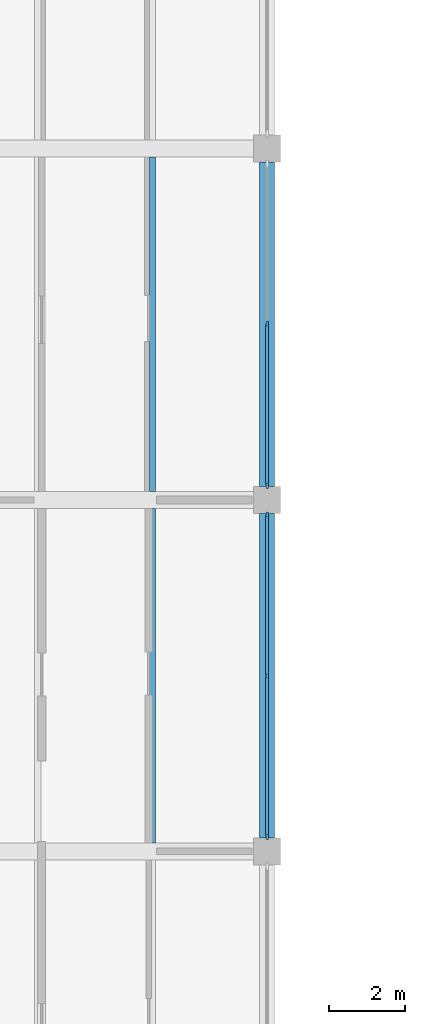
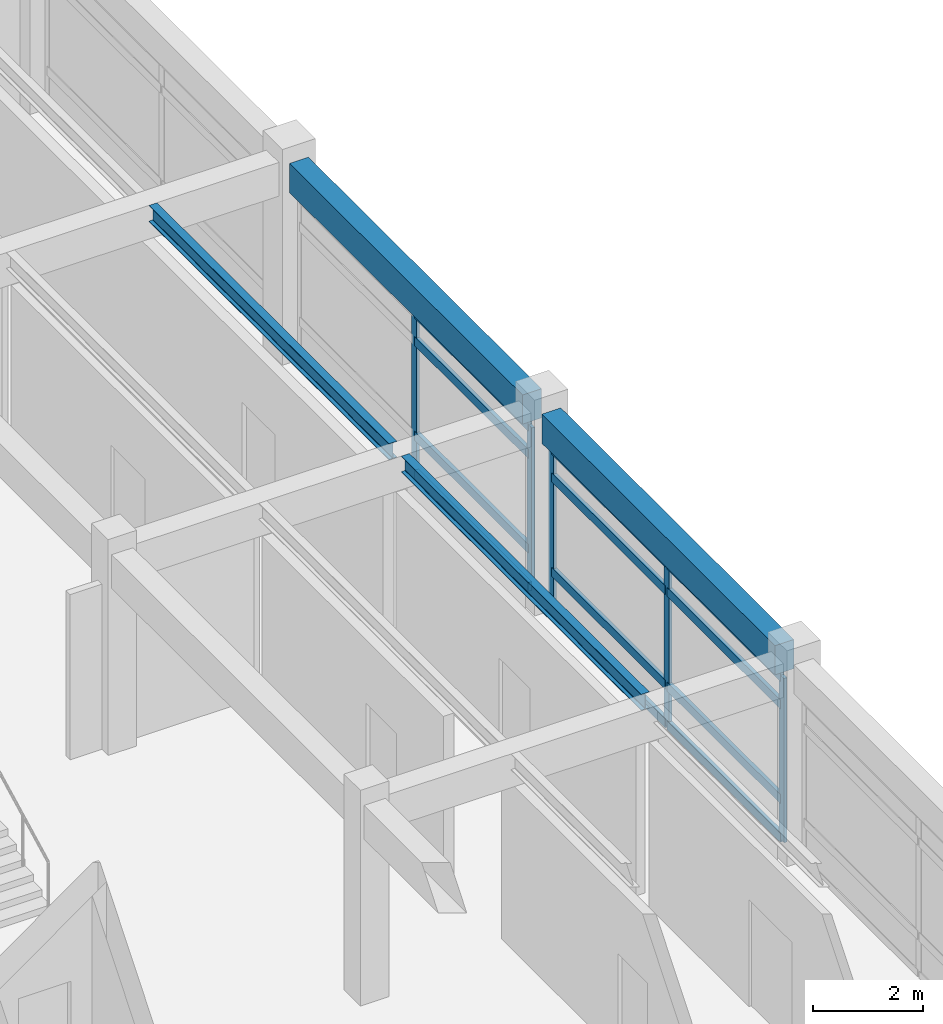
# One storey, part 35 of 90: 17 members, 4 beams, 2 elements without a shape of their own.
"""IFC4 building model written with IfcOpenShell, lengths in metres."""

from ifc_helpers import new_model, si_unit, direction, frame, origin, origin_2d, place, context, subcontext, project, spatial, rectangle, i_section, extrude, material, material_profile, profile_set, type_object, element, aggregate, save


model = new_model("IFC4")

# Units and contexts
model_context = context("Model", 3, precision=1e-05, world=origin(), true_north=direction((0.0, 1.0)))
body_context = subcontext(model_context, "Body", "Model", "MODEL_VIEW")
ifc_project = project(units=[si_unit("LENGTHUNIT", "METRE"), si_unit("AREAUNIT", "SQUARE_METRE"), si_unit("VOLUMEUNIT", "CUBIC_METRE"), si_unit("PLANEANGLEUNIT", "RADIAN"), si_unit("MASSUNIT", "GRAM", prefix="KILO")], contexts=[model_context])

# Site, building, storey
site_placement = place(None, origin())
site = spatial("IfcSite", under=ifc_project, at=site_placement, CompositionType="ELEMENT")
building_placement = place(site_placement, origin())
building = spatial("IfcBuilding", under=site, at=building_placement, Name="Bozkorgan Art Gallery", CompositionType="ELEMENT")
storey_placement = place(building_placement, frame((0.0, 0.0, 5.39990234375)))
storey = spatial("IfcBuildingStorey", under=building, at=storey_placement, Name="L01", CompositionType="ELEMENT", Elevation=5.39990234375)

# Beams
ifc_material_1 = material(Name="Steel S355J2", Category="steel")
ifc_material_profile_1 = material_profile(ifc_material_1, i_section(OverallWidth=0.169921875, OverallDepth=0.360107421875, WebThickness=0.008056640625, FlangeThickness=0.0126953125, FilletRadius=0.01806640625, at=origin_2d()), Name="IPE 360")
ifc_profile_set_1 = profile_set([ifc_material_profile_1], Name="Steel S355J2")
beam_type_1 = type_object("IfcBeamType", Name="BEAM-JS-98", PredefinedType="JOIST", material=ifc_profile_set_1)
for number, where, z_axis, x_axis, name in (
    (1, (98.0, 66.22509765625, 4.260009765625), (0.0, 1.0, 0.0), (-1.0, 0.0, 0.0), "V4 L01 secondary joist (92-101, 66.0-75.2) #2"),
    (2, (98.0, 75.425048828125, 4.260009765625), (0.0, 1.0, 0.0), (-1.0, 0.0, 0.0), "V4 L01 secondary joist (92-101, 75.2-84.4) #2"),
):
    element("IfcBeam", number, at=place(storey_placement, frame(where, z_axis=z_axis, x_axis=x_axis)), inside=storey, type_object=beam_type_1, Name=name, PredefinedType="JOIST", context=body_context, shape_type="SweptSolid", body=[
        extrude(i_section(OverallWidth=0.169921875, OverallDepth=0.360107421875, WebThickness=0.008056640625, FlangeThickness=0.0126953125, FilletRadius=0.01806640625, at=origin_2d()), origin(), (0.0, 0.0, 1.0), 8.75),
    ])
ifc_material_2 = material(Name="Concrete C35/45", Category="concrete")
ifc_material_profile_2 = material_profile(ifc_material_2, rectangle(XDim=0.39990234375, YDim=0.64990234375, at=origin_2d()), Name="RC 400x650")
ifc_profile_set_2 = profile_set([ifc_material_profile_2], Name="Concrete C35/45")
beam_type_2 = type_object("IfcBeamType", Name="BEAM-SP-69", PredefinedType="SPANDREL", material=ifc_profile_set_2)
for number, where, z_axis, x_axis, name in (
    (3, (101.0, 66.35009765625, 4.114990234375), (0.0, 1.0, 0.0), (-1.0, 0.0, 0.0), "V4 L01 spandrel Y (101, 66.0-75.2)"),
    (4, (101.0, 75.550048828125, 4.114990234375), (0.0, 1.0, 0.0), (-1.0, 0.0, 0.0), "V4 L01 spandrel Y (101, 75.2-84.4)"),
):
    element("IfcBeam", number, at=place(storey_placement, frame(where, z_axis=z_axis, x_axis=x_axis)), inside=storey, type_object=beam_type_2, Name=name, PredefinedType="SPANDREL", context=body_context, shape_type="SweptSolid", body=[
        extrude(rectangle(XDim=0.39990234375, YDim=0.64990234375, at=origin_2d()), origin(), (0.0, 0.0, 1.0), 8.5),
    ])

# Curtain wall, members
ifc_material_3 = material(Name="Anodised Bronze Aluminium", Category="aluminium")
curtain_wall_type = type_object("IfcCurtainWallType", Name="CW-CW-16", PredefinedType="NOTDEFINED", material=ifc_material_3)
curtain_wall_1_placement = place(storey_placement, origin())
curtain_wall_1 = element("IfcCurtainWall", 5, at=curtain_wall_1_placement, inside=storey, type_object=curtain_wall_type, Name="L01 unitised curtain wall CW-V4-L01-1E-14", PredefinedType="NOTDEFINED")
ifc_material_profile_3 = material_profile(ifc_material_3, rectangle(XDim=0.06494140625, YDim=0.179931640625, at=origin_2d()), Name="ALU MULLION 65x180")
ifc_profile_set_3 = profile_set([ifc_material_profile_3], Name="Anodised Bronze Aluminium")
member_type_1 = type_object("IfcMemberType", Name="CWM-01", PredefinedType="MULLION", material=ifc_profile_set_3)
member_1_placement = place(storey_placement, frame((101.0, 66.3974609375, 0.02001953125), z_axis=(0.0, 0.0, 1.0), x_axis=(-1.0, 0.0, 0.0)))
member_1 = element("IfcMember", 6, at=member_1_placement, type_object=member_type_1, Name="CW-16 mullion 1", PredefinedType="MULLION", context=body_context, shape_type="SweptSolid", body=[
    extrude(rectangle(XDim=0.06494140625, YDim=0.179931640625, at=origin_2d()), origin(), (0.0, 0.0, 1.0), 3.655029296875),
])
member_2_placement = place(storey_placement, frame((101.0, 70.60009765625, 0.02001953125), z_axis=(0.0, 0.0, 1.0), x_axis=(-1.0, 0.0, 0.0)))
member_2 = element("IfcMember", 7, at=member_2_placement, type_object=member_type_1, Name="CW-16 mullion 2", PredefinedType="MULLION", context=body_context, shape_type="SweptSolid", body=[
    extrude(rectangle(XDim=0.06494140625, YDim=0.179931640625, at=origin_2d()), origin(), (0.0, 0.0, 1.0), 3.655029296875),
])
member_3_placement = place(storey_placement, frame((101.0, 74.802490234375, 0.02001953125), z_axis=(0.0, 0.0, 1.0), x_axis=(-1.0, 0.0, 0.0)))
member_3 = element("IfcMember", 8, at=member_3_placement, type_object=member_type_1, Name="CW-16 mullion 3", PredefinedType="MULLION", context=body_context, shape_type="SweptSolid", body=[
    extrude(rectangle(XDim=0.06494140625, YDim=0.179931640625, at=origin_2d()), origin(), (0.0, 0.0, 1.0), 3.655029296875),
])

curtain_wall_2_placement = place(storey_placement, origin())
curtain_wall_2 = element("IfcCurtainWall", 9, at=curtain_wall_2_placement, inside=storey, type_object=curtain_wall_type, Name="L01 unitised curtain wall CW-V4-L01-1E-16", PredefinedType="NOTDEFINED")
member_4_placement = place(storey_placement, frame((101.0, 75.597412109375, 0.02001953125), z_axis=(0.0, 0.0, 1.0), x_axis=(-1.0, 0.0, 0.0)))
member_4 = element("IfcMember", 10, at=member_4_placement, type_object=member_type_1, Name="CW-16 mullion 1", PredefinedType="MULLION", context=body_context, shape_type="SweptSolid", body=[
    extrude(rectangle(XDim=0.06494140625, YDim=0.179931640625, at=origin_2d()), origin(), (0.0, 0.0, 1.0), 3.655029296875),
])
member_5_placement = place(storey_placement, frame((101.0, 79.800048828125, 0.02001953125), z_axis=(0.0, 0.0, 1.0), x_axis=(-1.0, 0.0, 0.0)))
member_5 = element("IfcMember", 11, at=member_5_placement, type_object=member_type_1, Name="CW-16 mullion 2", PredefinedType="MULLION", context=body_context, shape_type="SweptSolid", body=[
    extrude(rectangle(XDim=0.06494140625, YDim=0.179931640625, at=origin_2d()), origin(), (0.0, 0.0, 1.0), 3.655029296875),
])

# Member
ifc_material_profile_4 = material_profile(ifc_material_3, rectangle(XDim=0.080078125, YDim=0.199951171875, at=origin_2d()), Name="ALU TRANSOM 80x200")
ifc_profile_set_4 = profile_set([ifc_material_profile_4], Name="Anodised Bronze Aluminium")
member_type_2 = type_object("IfcMemberType", Name="CWT-03", PredefinedType="USERDEFINED", material=ifc_profile_set_4)
member_6_placement = place(storey_placement, frame((101.0, 66.429931640625, 0.06005859375), z_axis=(0.0, 1.0, 0.0), x_axis=(-1.0, 0.0, 0.0)))
member_6 = element("IfcMember", 12, at=member_6_placement, type_object=member_type_2, Name="CW-16 transom 1.1", ObjectType="TRANSOM", PredefinedType="USERDEFINED", context=body_context, shape_type="SweptSolid", body=[
    extrude(rectangle(XDim=0.080078125, YDim=0.199951171875, at=origin_2d()), origin(), (0.0, 0.0, 1.0), 4.137451171875),
])

member_7_placement = place(storey_placement, frame((101.0, 66.429931640625, 0.920166015625), z_axis=(0.0, 1.0, 0.0), x_axis=(-1.0, 0.0, 0.0)))
member_7 = element("IfcMember", 13, at=member_7_placement, type_object=member_type_2, Name="CW-16 transom 1.2", ObjectType="TRANSOM", PredefinedType="USERDEFINED", context=body_context, shape_type="SweptSolid", body=[
    extrude(rectangle(XDim=0.080078125, YDim=0.199951171875, at=origin_2d()), origin(), (0.0, 0.0, 1.0), 4.137451171875),
])

member_8_placement = place(storey_placement, frame((101.0, 66.429931640625, 3.025146484375), z_axis=(0.0, 1.0, 0.0), x_axis=(-1.0, 0.0, 0.0)))
member_8 = element("IfcMember", 14, at=member_8_placement, type_object=member_type_2, Name="CW-16 transom 1.3", ObjectType="TRANSOM", PredefinedType="USERDEFINED", context=body_context, shape_type="SweptSolid", body=[
    extrude(rectangle(XDim=0.080078125, YDim=0.199951171875, at=origin_2d()), origin(), (0.0, 0.0, 1.0), 4.137451171875),
])

member_9_placement = place(storey_placement, frame((101.0, 66.429931640625, 3.635009765625), z_axis=(0.0, 1.0, 0.0), x_axis=(-1.0, 0.0, 0.0)))
member_9 = element("IfcMember", 15, at=member_9_placement, type_object=member_type_2, Name="CW-16 transom 1.4", ObjectType="TRANSOM", PredefinedType="USERDEFINED", context=body_context, shape_type="SweptSolid", body=[
    extrude(rectangle(XDim=0.080078125, YDim=0.199951171875, at=origin_2d()), origin(), (0.0, 0.0, 1.0), 4.137451171875),
])

member_10_placement = place(storey_placement, frame((101.0, 70.632568359375, 0.06005859375), z_axis=(0.0, 1.0, 0.0), x_axis=(-1.0, 0.0, 0.0)))
member_10 = element("IfcMember", 16, at=member_10_placement, type_object=member_type_2, Name="CW-16 transom 2.1", ObjectType="TRANSOM", PredefinedType="USERDEFINED", context=body_context, shape_type="SweptSolid", body=[
    extrude(rectangle(XDim=0.080078125, YDim=0.199951171875, at=origin_2d()), origin(), (0.0, 0.0, 1.0), 4.137451171875),
])

member_11_placement = place(storey_placement, frame((101.0, 70.632568359375, 0.920166015625), z_axis=(0.0, 1.0, 0.0), x_axis=(-1.0, 0.0, 0.0)))
member_11 = element("IfcMember", 17, at=member_11_placement, type_object=member_type_2, Name="CW-16 transom 2.2", ObjectType="TRANSOM", PredefinedType="USERDEFINED", context=body_context, shape_type="SweptSolid", body=[
    extrude(rectangle(XDim=0.080078125, YDim=0.199951171875, at=origin_2d()), origin(), (0.0, 0.0, 1.0), 4.137451171875),
])

member_12_placement = place(storey_placement, frame((101.0, 70.632568359375, 3.025146484375), z_axis=(0.0, 1.0, 0.0), x_axis=(-1.0, 0.0, 0.0)))
member_12 = element("IfcMember", 18, at=member_12_placement, type_object=member_type_2, Name="CW-16 transom 2.3", ObjectType="TRANSOM", PredefinedType="USERDEFINED", context=body_context, shape_type="SweptSolid", body=[
    extrude(rectangle(XDim=0.080078125, YDim=0.199951171875, at=origin_2d()), origin(), (0.0, 0.0, 1.0), 4.137451171875),
])

member_13_placement = place(storey_placement, frame((101.0, 70.632568359375, 3.635009765625), z_axis=(0.0, 1.0, 0.0), x_axis=(-1.0, 0.0, 0.0)))
member_13 = element("IfcMember", 19, at=member_13_placement, type_object=member_type_2, Name="CW-16 transom 2.4", ObjectType="TRANSOM", PredefinedType="USERDEFINED", context=body_context, shape_type="SweptSolid", body=[
    extrude(rectangle(XDim=0.080078125, YDim=0.199951171875, at=origin_2d()), origin(), (0.0, 0.0, 1.0), 4.137451171875),
])

aggregate(curtain_wall_1, [member_1, member_2, member_3, member_6, member_7, member_8, member_9, member_10, member_11, member_12, member_13])

member_14_placement = place(storey_placement, frame((101.0, 75.6298828125, 0.06005859375), z_axis=(0.0, 1.0, 0.0), x_axis=(-1.0, 0.0, 0.0)))
member_14 = element("IfcMember", 20, at=member_14_placement, type_object=member_type_2, Name="CW-16 transom 1.1", ObjectType="TRANSOM", PredefinedType="USERDEFINED", context=body_context, shape_type="SweptSolid", body=[
    extrude(rectangle(XDim=0.080078125, YDim=0.199951171875, at=origin_2d()), origin(), (0.0, 0.0, 1.0), 4.1376953125),
])

member_15_placement = place(storey_placement, frame((101.0, 75.6298828125, 0.920166015625), z_axis=(0.0, 1.0, 0.0), x_axis=(-1.0, 0.0, 0.0)))
member_15 = element("IfcMember", 21, at=member_15_placement, type_object=member_type_2, Name="CW-16 transom 1.2", ObjectType="TRANSOM", PredefinedType="USERDEFINED", context=body_context, shape_type="SweptSolid", body=[
    extrude(rectangle(XDim=0.080078125, YDim=0.199951171875, at=origin_2d()), origin(), (0.0, 0.0, 1.0), 4.1376953125),
])

member_16_placement = place(storey_placement, frame((101.0, 75.6298828125, 3.025146484375), z_axis=(0.0, 1.0, 0.0), x_axis=(-1.0, 0.0, 0.0)))
member_16 = element("IfcMember", 22, at=member_16_placement, type_object=member_type_2, Name="CW-16 transom 1.3", ObjectType="TRANSOM", PredefinedType="USERDEFINED", context=body_context, shape_type="SweptSolid", body=[
    extrude(rectangle(XDim=0.080078125, YDim=0.199951171875, at=origin_2d()), origin(), (0.0, 0.0, 1.0), 4.1376953125),
])

member_17_placement = place(storey_placement, frame((101.0, 75.6298828125, 3.635009765625), z_axis=(0.0, 1.0, 0.0), x_axis=(-1.0, 0.0, 0.0)))
member_17 = element("IfcMember", 23, at=member_17_placement, type_object=member_type_2, Name="CW-16 transom 1.4", ObjectType="TRANSOM", PredefinedType="USERDEFINED", context=body_context, shape_type="SweptSolid", body=[
    extrude(rectangle(XDim=0.080078125, YDim=0.199951171875, at=origin_2d()), origin(), (0.0, 0.0, 1.0), 4.1376953125),
])

aggregate(curtain_wall_2, [member_4, member_5, member_14, member_15, member_16, member_17])

save(model, "model.ifc")
